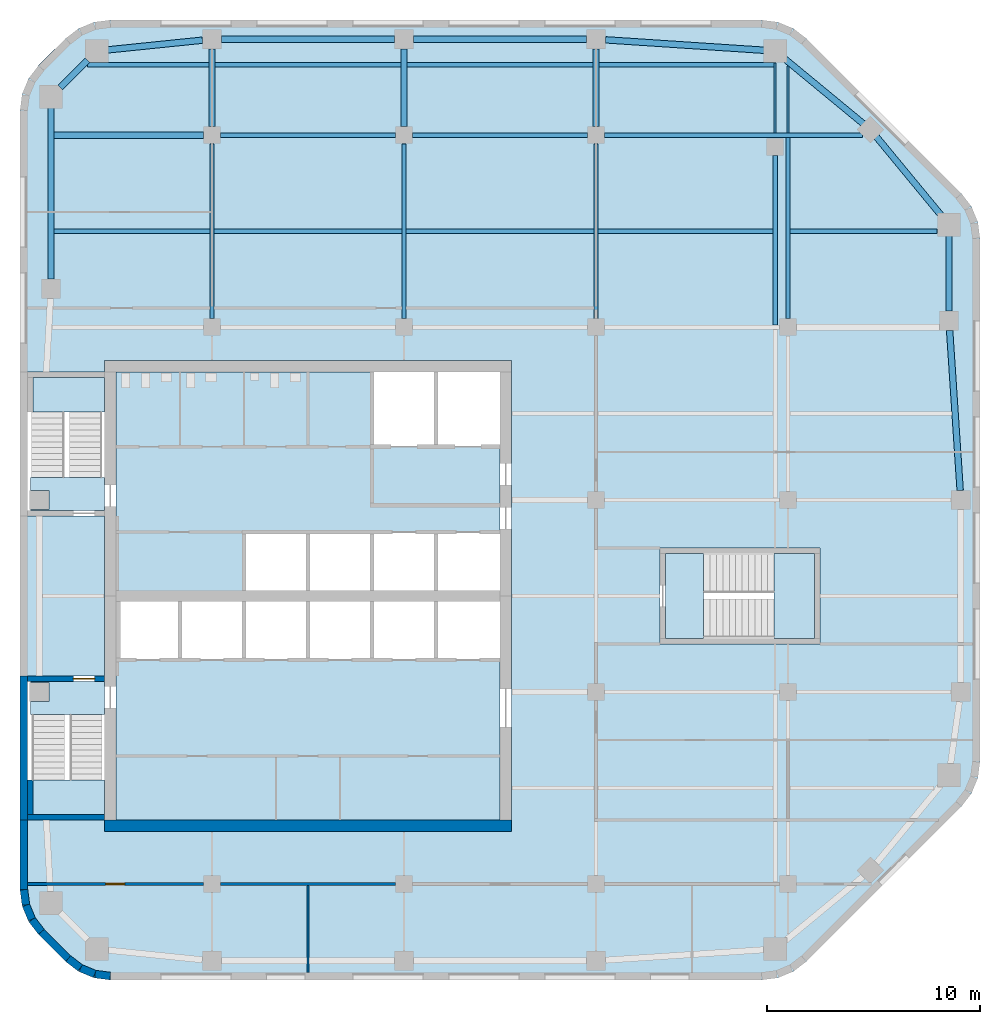
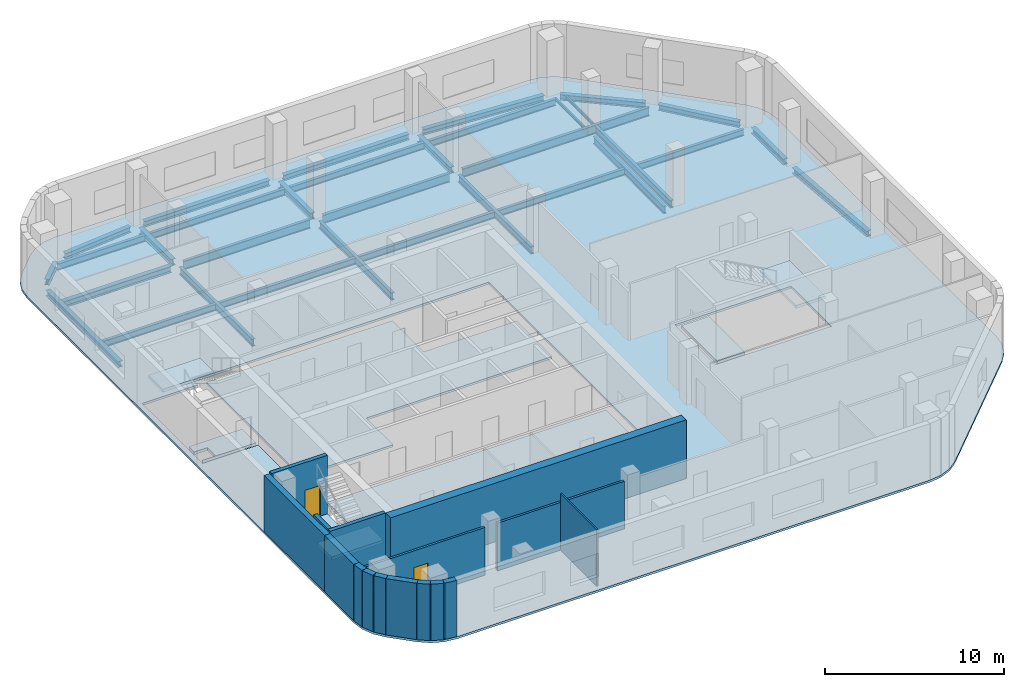
# One storey, part 2 of 7: 33 beams, 16 walls, 9 slabs, 2 doors, 2 openings, 3 elements without a shape of their own.
"""IFC4 building model written with IfcOpenShell, lengths in metres."""

from ifc_helpers import new_model, si_unit, direction, frame, frame_2d, origin, origin_2d, place, context, subcontext, project, spatial, polyline, rectangle, i_section, outline, extrude, material, layer, layer_set, material_profile, profile_set, type_object, element, fill, aggregate, save


model = new_model("IFC4")

# Units and contexts
model_context = context("Model", 3, precision=1e-05, world=origin(), true_north=direction((0.0, 1.0)))
body_context = subcontext(model_context, "Body", "Model", "MODEL_VIEW")
ifc_project = project(units=[si_unit("LENGTHUNIT", "METRE"), si_unit("AREAUNIT", "SQUARE_METRE"), si_unit("VOLUMEUNIT", "CUBIC_METRE"), si_unit("PLANEANGLEUNIT", "RADIAN"), si_unit("MASSUNIT", "GRAM", prefix="KILO")], contexts=[model_context])

# Site, building, storey
site_placement = place(None, origin())
site = spatial("IfcSite", under=ifc_project, at=site_placement, CompositionType="ELEMENT")
building_placement = place(site_placement, origin())
building = spatial("IfcBuilding", under=site, at=building_placement, Name="Cinnabar Reach Civic Tower", CompositionType="ELEMENT")
storey_placement = place(building_placement, frame((0.0, 0.0, 234.0)))
storey = spatial("IfcBuildingStorey", under=building, at=storey_placement, Name="L56", CompositionType="ELEMENT", Elevation=234.0)

# Beams
ifc_material_1 = material(Name="Steel Q355B", Category="steel")
ifc_material_profile_1 = material_profile(ifc_material_1, i_section(OverallWidth=0.3, OverallDepth=0.39, WebThickness=0.01, FlangeThickness=0.016, FilletRadius=0.013, at=origin_2d()), Name="HM390x300x10x16")
ifc_profile_set_1 = profile_set([ifc_material_profile_1], Name="Steel Q355B")
beam_type_1 = type_object("IfcBeamType", Name="HM390x300x10x16 beam R 180", PredefinedType="BEAM", material=ifc_profile_set_1)
beam_1_placement = place(storey_placement, frame((44.0702, 36.452, -0.345), z_axis=(-0.065709484267, 0.997838796438, 0.0), x_axis=(-0.997838796438, -0.065709484267, 0.0)))
element("IfcBeam", 1, at=beam_1_placement, inside=storey, type_object=beam_type_1, Name="Edge beam T1 L56 9", PredefinedType="BEAM", context=body_context, shape_type="SweptSolid", body=[
    extrude(i_section(OverallWidth=0.3, OverallDepth=0.39, WebThickness=0.01, FlangeThickness=0.016, FilletRadius=0.013, at=origin_2d()), origin(), (0.0, 0.0, 1.0), 7.5103),
])
beam_2_placement = place(storey_placement, frame((43.5469, 44.8501, -0.345), z_axis=(0.0, 1.0, 0.0), x_axis=(-1.0, 0.0, 0.0)))
element("IfcBeam", 2, at=beam_2_placement, inside=storey, type_object=beam_type_1, Name="Edge beam T1 L56 10", PredefinedType="BEAM", context=body_context, shape_type="SweptSolid", body=[
    extrude(i_section(OverallWidth=0.3, OverallDepth=0.39, WebThickness=0.01, FlangeThickness=0.016, FilletRadius=0.013, at=origin_2d()), origin(), (0.0, 0.0, 1.0), 3.616),
])
for number, where, z_axis, x_axis, name in (
    (3, (43.1906, 49.3301, -0.345), (-0.63630880182, 0.771434448755, 0.0), (-0.771434448755, -0.63630880182, 0.0), "Edge beam T1 L56 11"),
    (4, (39.5598, 53.6142, -0.345), (-0.771434448755, 0.63630880182, 0.0), (-0.63630880182, -0.771434448755, 0.0), "Edge beam T1 L56 12"),
):
    element("IfcBeam", number, at=place(storey_placement, frame(where, z_axis=z_axis, x_axis=x_axis)), inside=storey, type_object=beam_type_1, Name=name, PredefinedType="BEAM", context=body_context, shape_type="SweptSolid", body=[
        extrude(i_section(OverallWidth=0.3, OverallDepth=0.39, WebThickness=0.01, FlangeThickness=0.016, FilletRadius=0.013, at=origin_2d()), origin(), (0.0, 0.0, 1.0), 4.8348),
    ])
beam_3_placement = place(storey_placement, frame((34.9661, 57.0754, -0.345), z_axis=(-0.99783894477, 0.065707231721, 0.0), x_axis=(-0.065707231721, -0.99783894477, 0.0)))
element("IfcBeam", 5, at=beam_3_placement, inside=storey, type_object=beam_type_1, Name="Edge beam T1 L56 13", PredefinedType="BEAM", context=body_context, shape_type="SweptSolid", body=[
    extrude(i_section(OverallWidth=0.3, OverallDepth=0.39, WebThickness=0.01, FlangeThickness=0.016, FilletRadius=0.013, at=origin_2d()), origin(), (0.0, 0.0, 1.0), 7.5304),
])
for number, where, z_axis, x_axis, name in (
    (6, (26.548, 57.6, -0.345), (-1.0, 0.0, 0.0), (0.0, -1.0, 0.0), "Edge beam T1 L56 14"),
    (7, (17.548, 57.6, -0.345), (-1.0, 0.0, 0.0), (0.0, -1.0, 0.0), "Edge beam T1 L56 15"),
):
    element("IfcBeam", number, at=place(storey_placement, frame(where, z_axis=z_axis, x_axis=x_axis)), inside=storey, type_object=beam_type_1, Name=name, PredefinedType="BEAM", context=body_context, shape_type="SweptSolid", body=[
        extrude(i_section(OverallWidth=0.3, OverallDepth=0.39, WebThickness=0.01, FlangeThickness=0.016, FilletRadius=0.013, at=origin_2d()), origin(), (0.0, 0.0, 1.0), 8.096),
    ])
beam_4_placement = place(storey_placement, frame((8.548, 57.5537, -0.345), z_axis=(-0.994792272495, -0.101923179821, 0.0), x_axis=(0.101923179821, -0.994792272495, 0.0)))
element("IfcBeam", 8, at=beam_4_placement, inside=storey, type_object=beam_type_1, Name="Edge beam T1 L56 16", PredefinedType="BEAM", context=body_context, shape_type="SweptSolid", body=[
    extrude(i_section(OverallWidth=0.3, OverallDepth=0.39, WebThickness=0.01, FlangeThickness=0.016, FilletRadius=0.013, at=origin_2d()), origin(), (0.0, 0.0, 1.0), 4.5377),
])
beam_5_placement = place(storey_placement, frame((3.1699, 56.6149, -0.345), z_axis=(-0.707106781187, -0.707106781187, 0.0), x_axis=(0.707106781187, -0.707106781187, 0.0)))
element("IfcBeam", 9, at=beam_5_placement, inside=storey, type_object=beam_type_1, Name="Edge beam T1 L56 17", PredefinedType="BEAM", context=body_context, shape_type="SweptSolid", body=[
    extrude(i_section(OverallWidth=0.3, OverallDepth=0.39, WebThickness=0.01, FlangeThickness=0.016, FilletRadius=0.013, at=origin_2d()), origin(), (0.0, 0.0, 1.0), 1.817),
])
beam_6_placement = place(storey_placement, frame((1.4531, 54.4661, -0.345), z_axis=(0.0, -1.0, 0.0), x_axis=(1.0, 0.0, 0.0)))
element("IfcBeam", 10, at=beam_6_placement, inside=storey, type_object=beam_type_1, Name="Edge beam T1 L56 18", PredefinedType="BEAM", context=body_context, shape_type="SweptSolid", body=[
    extrude(i_section(OverallWidth=0.3, OverallDepth=0.39, WebThickness=0.01, FlangeThickness=0.016, FilletRadius=0.013, at=origin_2d()), origin(), (0.0, 0.0, 1.0), 8.116),
])
ifc_material_profile_2 = material_profile(ifc_material_1, i_section(OverallWidth=0.3, OverallDepth=0.44, WebThickness=0.011, FlangeThickness=0.018, FilletRadius=0.016, at=origin_2d()), Name="HM440x300x11x18")
ifc_profile_set_2 = profile_set([ifc_material_profile_2], Name="Steel Q355B")
beam_type_2 = type_object("IfcBeamType", Name="HM440x300x11x18 beam R 180", PredefinedType="BEAM", material=ifc_profile_set_2)
beam_7_placement = place(storey_placement, frame((1.6051, 53.1, -0.37), z_axis=(1.0, 0.0, 0.0), x_axis=(0.0, 1.0, 0.0)))
element("IfcBeam", 11, at=beam_7_placement, inside=storey, type_object=beam_type_2, Name="Girder T1 L56 17", PredefinedType="BEAM", context=body_context, shape_type="SweptSolid", body=[
    extrude(i_section(OverallWidth=0.3, OverallDepth=0.44, WebThickness=0.011, FlangeThickness=0.018, FilletRadius=0.016, at=origin_2d()), origin(), (0.0, 0.0, 1.0), 6.9929),
])
for number, where, z_axis, x_axis, name in (
    (12, (9.0, 53.502, -0.37), (0.0, 1.0, 0.0), (-1.0, 0.0, 0.0), "Girder T1 L56 5"),
    (13, (18.0, 53.502, -0.37), (0.0, 1.0, 0.0), (-1.0, 0.0, 0.0), "Girder T1 L56 10"),
    (14, (27.0, 53.502, -0.37), (0.0, 1.0, 0.0), (-1.0, 0.0, 0.0), "Girder T1 L56 16"),
):
    element("IfcBeam", number, at=place(storey_placement, frame(where, z_axis=z_axis, x_axis=x_axis)), inside=storey, type_object=beam_type_2, Name=name, PredefinedType="BEAM", context=body_context, shape_type="SweptSolid", body=[
        extrude(i_section(OverallWidth=0.3, OverallDepth=0.44, WebThickness=0.011, FlangeThickness=0.018, FilletRadius=0.016, at=origin_2d()), origin(), (0.0, 0.0, 1.0), 3.646),
    ])
ifc_material_profile_3 = material_profile(ifc_material_1, i_section(OverallWidth=0.099, OverallDepth=0.198, WebThickness=0.0045, FlangeThickness=0.007, FilletRadius=0.013, at=origin_2d()), Name="HN200x100x5.5x8")
ifc_profile_set_3 = profile_set([ifc_material_profile_3], Name="Steel Q355B")
beam_type_3 = type_object("IfcBeamType", Name="HN200x100x5.5x8 beam R 180", PredefinedType="BEAM", material=ifc_profile_set_3)
beam_8_placement = place(storey_placement, frame((35.3981, 53.2015, -0.249), z_axis=(0.0, 1.0, 0.0), x_axis=(-1.0, 0.0, 0.0)))
element("IfcBeam", 15, at=beam_8_placement, inside=storey, type_object=beam_type_3, Name="Girder T1 L56 23", PredefinedType="BEAM", context=body_context, shape_type="SweptSolid", body=[
    extrude(i_section(OverallWidth=0.099, OverallDepth=0.198, WebThickness=0.0045, FlangeThickness=0.007, FilletRadius=0.013, at=origin_2d()), origin(), (0.0, 0.0, 1.0), 3.2934),
])
beam_9_placement = place(storey_placement, frame((36.0, 53.2015, -0.249), z_axis=(0.0, 1.0, 0.0), x_axis=(-1.0, 0.0, 0.0)))
element("IfcBeam", 16, at=beam_9_placement, inside=storey, type_object=beam_type_3, Name="Girder T1 L56 30", PredefinedType="BEAM", context=body_context, shape_type="SweptSolid", body=[
    extrude(i_section(OverallWidth=0.099, OverallDepth=0.198, WebThickness=0.0045, FlangeThickness=0.007, FilletRadius=0.013, at=origin_2d()), origin(), (0.0, 0.0, 1.0), 3.1519),
])
ifc_material_profile_4 = material_profile(ifc_material_1, i_section(OverallWidth=0.199, OverallDepth=0.446, WebThickness=0.008, FlangeThickness=0.012, FilletRadius=0.016, at=origin_2d()), Name="HN446x199x8x12")
ifc_profile_set_4 = profile_set([ifc_material_profile_4], Name="Steel Q355B")
beam_type_4 = type_object("IfcBeamType", Name="HN446x199x8x12 beam R 180", PredefinedType="BEAM", material=ifc_profile_set_4)
beam_10_placement = place(storey_placement, frame((1.6051, 48.6, -0.373), z_axis=(1.0, 0.0, 0.0), x_axis=(0.0, 1.0, 0.0)))
element("IfcBeam", 17, at=beam_10_placement, inside=storey, type_object=beam_type_4, Name="Secondary beam T1 L56 11", PredefinedType="BEAM", context=body_context, shape_type="SweptSolid", body=[
    extrude(i_section(OverallWidth=0.199, OverallDepth=0.446, WebThickness=0.008, FlangeThickness=0.012, FilletRadius=0.016, at=origin_2d()), origin(), (0.0, 0.0, 1.0), 7.2929),
])
for number, where, z_axis, x_axis, name in (
    (18, (9.102, 48.6, -0.373), (1.0, 0.0, 0.0), (0.0, 1.0, 0.0), "Secondary beam T1 L56 12"),
    (19, (18.102, 48.6, -0.373), (1.0, 0.0, 0.0), (0.0, 1.0, 0.0), "Secondary beam T1 L56 13"),
):
    element("IfcBeam", number, at=place(storey_placement, frame(where, z_axis=z_axis, x_axis=x_axis)), inside=storey, type_object=beam_type_4, Name=name, PredefinedType="BEAM", context=body_context, shape_type="SweptSolid", body=[
        extrude(i_section(OverallWidth=0.199, OverallDepth=0.446, WebThickness=0.008, FlangeThickness=0.012, FilletRadius=0.016, at=origin_2d()), origin(), (0.0, 0.0, 1.0), 8.796),
    ])
beam_11_placement = place(storey_placement, frame((27.102, 48.6, -0.373), z_axis=(1.0, 0.0, 0.0), x_axis=(0.0, 1.0, 0.0)))
element("IfcBeam", 20, at=beam_11_placement, inside=storey, type_object=beam_type_4, Name="Secondary beam T1 L56 14", PredefinedType="BEAM", context=body_context, shape_type="SweptSolid", body=[
    extrude(i_section(OverallWidth=0.199, OverallDepth=0.446, WebThickness=0.008, FlangeThickness=0.012, FilletRadius=0.016, at=origin_2d()), origin(), (0.0, 0.0, 1.0), 8.1941),
])
beam_12_placement = place(storey_placement, frame((36.102, 48.6, -0.373), z_axis=(1.0, 0.0, 0.0), x_axis=(0.0, 1.0, 0.0)))
element("IfcBeam", 21, at=beam_12_placement, inside=storey, type_object=beam_type_4, Name="Secondary beam T1 L56 15", PredefinedType="BEAM", context=body_context, shape_type="SweptSolid", body=[
    extrude(i_section(OverallWidth=0.199, OverallDepth=0.446, WebThickness=0.008, FlangeThickness=0.012, FilletRadius=0.016, at=origin_2d()), origin(), (0.0, 0.0, 1.0), 6.8929),
])
beam_13_placement = place(storey_placement, frame((3.17, 56.4, -0.373), z_axis=(1.0, 0.0, 0.0), x_axis=(0.0, 1.0, 0.0)))
element("IfcBeam", 22, at=beam_13_placement, inside=storey, type_object=beam_type_4, Name="Secondary beam T1 L56 16", PredefinedType="BEAM", context=body_context, shape_type="SweptSolid", body=[
    extrude(i_section(OverallWidth=0.199, OverallDepth=0.446, WebThickness=0.008, FlangeThickness=0.012, FilletRadius=0.016, at=origin_2d()), origin(), (0.0, 0.0, 1.0), 5.678),
])
for number, where, z_axis, x_axis, name in (
    (23, (9.152, 56.4, -0.373), (1.0, 0.0, 0.0), (0.0, 1.0, 0.0), "Secondary beam T1 L56 17"),
    (24, (18.152, 56.4, -0.373), (1.0, 0.0, 0.0), (0.0, 1.0, 0.0), "Secondary beam T1 L56 18"),
):
    element("IfcBeam", number, at=place(storey_placement, frame(where, z_axis=z_axis, x_axis=x_axis)), inside=storey, type_object=beam_type_4, Name=name, PredefinedType="BEAM", context=body_context, shape_type="SweptSolid", body=[
        extrude(i_section(OverallWidth=0.199, OverallDepth=0.446, WebThickness=0.008, FlangeThickness=0.012, FilletRadius=0.016, at=origin_2d()), origin(), (0.0, 0.0, 1.0), 8.696),
    ])
beam_14_placement = place(storey_placement, frame((27.152, 56.4, -0.373), z_axis=(1.0, 0.0, 0.0), x_axis=(0.0, 1.0, 0.0)))
element("IfcBeam", 25, at=beam_14_placement, inside=storey, type_object=beam_type_4, Name="Secondary beam T1 L56 19", PredefinedType="BEAM", context=body_context, shape_type="SweptSolid", body=[
    extrude(i_section(OverallWidth=0.199, OverallDepth=0.446, WebThickness=0.008, FlangeThickness=0.012, FilletRadius=0.016, at=origin_2d()), origin(), (0.0, 0.0, 1.0), 8.1946),
])
ifc_material_profile_5 = material_profile(ifc_material_1, i_section(OverallWidth=0.2, OverallDepth=0.5, WebThickness=0.01, FlangeThickness=0.016, FilletRadius=0.016, at=origin_2d()), Name="HN500x200x10x16")
ifc_profile_set_5 = profile_set([ifc_material_profile_5], Name="Steel Q355B")
beam_type_5 = type_object("IfcBeamType", Name="HN500x200x10x16 beam R 180", PredefinedType="BEAM", material=ifc_profile_set_5)
for number, where, z_axis, x_axis, name in (
    (26, (9.0, 44.502, -0.4), (0.0, 1.0, 0.0), (-1.0, 0.0, 0.0), "Girder T1 L56 4"),
    (27, (18.0, 44.502, -0.4), (0.0, 1.0, 0.0), (-1.0, 0.0, 0.0), "Girder T1 L56 9"),
    (28, (27.0, 44.502, -0.4), (0.0, 1.0, 0.0), (-1.0, 0.0, 0.0), "Girder T1 L56 15"),
):
    element("IfcBeam", number, at=place(storey_placement, frame(where, z_axis=z_axis, x_axis=x_axis)), inside=storey, type_object=beam_type_5, Name=name, PredefinedType="BEAM", context=body_context, shape_type="SweptSolid", body=[
        extrude(i_section(OverallWidth=0.2, OverallDepth=0.5, WebThickness=0.01, FlangeThickness=0.016, FilletRadius=0.016, at=origin_2d()), origin(), (0.0, 0.0, 1.0), 8.196),
    ])
beam_15_placement = place(storey_placement, frame((35.3981, 44.2015, -0.4), z_axis=(0.0, 1.0, 0.0), x_axis=(-1.0, 0.0, 0.0)))
element("IfcBeam", 29, at=beam_15_placement, inside=storey, type_object=beam_type_5, Name="Girder T1 L56 22", PredefinedType="BEAM", context=body_context, shape_type="SweptSolid", body=[
    extrude(i_section(OverallWidth=0.2, OverallDepth=0.5, WebThickness=0.01, FlangeThickness=0.016, FilletRadius=0.016, at=origin_2d()), origin(), (0.0, 0.0, 1.0), 7.9434),
])
beam_16_placement = place(storey_placement, frame((36.0, 44.502, -0.4), z_axis=(0.0, 1.0, 0.0), x_axis=(-1.0, 0.0, 0.0)))
element("IfcBeam", 30, at=beam_16_placement, inside=storey, type_object=beam_type_5, Name="Girder T1 L56 29", PredefinedType="BEAM", context=body_context, shape_type="SweptSolid", body=[
    extrude(i_section(OverallWidth=0.2, OverallDepth=0.5, WebThickness=0.01, FlangeThickness=0.016, FilletRadius=0.016, at=origin_2d()), origin(), (0.0, 0.0, 1.0), 8.4965),
])
ifc_material_profile_6 = material_profile(ifc_material_1, i_section(OverallWidth=0.199, OverallDepth=0.596, WebThickness=0.01, FlangeThickness=0.015, FilletRadius=0.016, at=origin_2d()), Name="HN596x199x10x15")
ifc_profile_set_6 = profile_set([ifc_material_profile_6], Name="Steel Q355B")
beam_type_6 = type_object("IfcBeamType", Name="HN596x199x10x15 beam R 180", PredefinedType="BEAM", material=ifc_profile_set_6)
for number, where, z_axis, x_axis, name in (
    (31, (9.402, 53.1, -0.448), (1.0, 0.0, 0.0), (0.0, 1.0, 0.0), "Girder T1 L56 18"),
    (32, (18.402, 53.1, -0.448), (1.0, 0.0, 0.0), (0.0, 1.0, 0.0), "Girder T1 L56 19"),
):
    element("IfcBeam", number, at=place(storey_placement, frame(where, z_axis=z_axis, x_axis=x_axis)), inside=storey, type_object=beam_type_6, Name=name, PredefinedType="BEAM", context=body_context, shape_type="SweptSolid", body=[
        extrude(i_section(OverallWidth=0.199, OverallDepth=0.596, WebThickness=0.01, FlangeThickness=0.015, FilletRadius=0.016, at=origin_2d()), origin(), (0.0, 0.0, 1.0), 8.196),
    ])
beam_17_placement = place(storey_placement, frame((27.402, 53.1, -0.448), z_axis=(1.0, 0.0, 0.0), x_axis=(0.0, 1.0, 0.0)))
element("IfcBeam", 33, at=beam_17_placement, inside=storey, type_object=beam_type_6, Name="Girder T1 L56 20", PredefinedType="BEAM", context=body_context, shape_type="SweptSolid", body=[
    extrude(i_section(OverallWidth=0.199, OverallDepth=0.596, WebThickness=0.01, FlangeThickness=0.015, FilletRadius=0.016, at=origin_2d()), origin(), (0.0, 0.0, 1.0), 12.086),
])

# Slab
ifc_material_2 = material(Name="Concrete C40", Category="concrete")
ifc_layer_1 = layer(ifc_material_2, 0.15)
ifc_layer_set_1 = layer_set([ifc_layer_1], Name="Composite floor slab 150 REI 150")
slab_type_1 = type_object("IfcSlabType", Name="Composite floor slab 150 REI 150", PredefinedType="FLOOR", material=ifc_layer_set_1)
slab_1_placement = place(storey_placement, frame((0.0, 0.0, -0.15)))
element("IfcSlab", 34, at=slab_1_placement, inside=storey, type_object=slab_type_1, Name="Composite floor slab 150 T1 L56", PredefinedType="FLOOR", context=body_context, shape_type="SweptSolid", body=[
    extrude(outline(polyline([(0.8787, 15.6213), (0.4019, 16.2426), (0.1022, 16.9662), (0.0, 17.7426), (0.0, 54.2574), (0.1022, 55.0338), (0.4019, 55.7574), (0.8787, 56.3787), (2.1213, 57.6213), (2.7426, 58.0981), (3.4662, 58.3978), (4.2426, 58.5), (34.7574, 58.5), (35.5338, 58.3978), (36.2574, 58.0981), (36.8787, 57.6213), (44.1213, 50.3787), (44.5981, 49.7574), (44.8978, 49.0338), (45.0, 48.2574), (45.0, 23.7426), (44.8978, 22.9662), (44.5981, 22.2426), (44.1213, 21.6213), (36.8787, 14.3787), (36.2574, 13.9019), (35.5338, 13.6022), (34.7574, 13.5), (4.2426, 13.5), (3.4662, 13.6022), (2.7426, 13.9019), (2.1213, 14.3787), (0.8787, 15.6213)]), holes=[polyline([(0.36, 21.0), (3.95, 21.0), (3.95, 20.45), (23.05, 20.45), (23.05, 42.55), (3.95, 42.55), (3.95, 42.0), (0.36, 42.0), (0.36, 35.25), (3.95, 35.25), (3.95, 27.75), (0.36, 27.75), (0.36, 21.0)]), polyline([(30.0, 33.75), (30.0, 29.25), (37.5, 29.25), (37.5, 33.75), (30.0, 33.75)])]), origin(), (0.0, 0.0, 1.0), 0.15),
])

# Stair, slabs
ifc_material_3 = material(Name="Concrete C40/50", Category="concrete")
stair_type = type_object("IfcStairType", Name="T1 Exit stair, half-turn", PredefinedType="HALF_TURN_STAIR", material=ifc_material_3)
stair_1_placement = place(storey_placement, origin())
stair_1 = element("IfcStair", 35, at=stair_1_placement, inside=storey, type_object=stair_type, Name="Stair T1-S1", PredefinedType="HALF_TURN_STAIR")
ifc_layer_2 = layer(ifc_material_3, 0.2)
ifc_layer_set_2 = layer_set([ifc_layer_2], Name="T1 Stair landing 200, Concrete C40/50")
slab_type_2 = type_object("IfcSlabType", Name="T1 Stair landing 200, Concrete C40/50", PredefinedType="LANDING", material=ifc_layer_set_2)
slab_2_placement = place(storey_placement, frame((0.0, 0.0, -0.2)))
slab_2 = element("IfcSlab", 36, at=slab_2_placement, type_object=slab_type_2, Name="T1-S1 landing 1", PredefinedType="LANDING", context=body_context, shape_type="SweptSolid", body=[
    extrude(outline(polyline([(0.5, 27.5), (3.95, 27.5), (3.95, 25.95), (0.5, 25.95), (0.5, 26.55), (1.35, 26.55), (1.35, 27.45), (0.5, 27.45), (0.5, 27.5)])), origin(), (0.0, 0.0, 1.0), 0.2),
])
slab_3_placement = place(storey_placement, frame((0.0, 0.0, 1.8)))
slab_3 = element("IfcSlab", 37, at=slab_3_placement, type_object=slab_type_2, Name="T1-S1 landing 2", PredefinedType="LANDING", context=body_context, shape_type="SweptSolid", body=[
    extrude(outline(polyline([(0.6, 21.25), (0.6, 22.87), (3.95, 22.87), (3.95, 21.25), (0.6, 21.25)])), origin(), (0.0, 0.0, 1.0), 0.2),
])
aggregate(stair_1, [slab_2, slab_3])

stair_2_placement = place(storey_placement, origin())
stair_2 = element("IfcStair", 38, at=stair_2_placement, inside=storey, type_object=stair_type, Name="Stair T1-S2", PredefinedType="HALF_TURN_STAIR")
slab_4_placement = place(storey_placement, frame((0.0, 0.0, -0.2)))
slab_4 = element("IfcSlab", 39, at=slab_4_placement, type_object=slab_type_2, Name="T1-S2 landing 1", PredefinedType="LANDING", context=body_context, shape_type="SweptSolid", body=[
    extrude(outline(polyline([(0.5, 37.05), (3.95, 37.05), (3.95, 35.5), (0.5, 35.5), (0.5, 35.55), (1.35, 35.55), (1.35, 36.45), (0.5, 36.45), (0.5, 37.05)])), origin(), (0.0, 0.0, 1.0), 0.2),
])
slab_5_placement = place(storey_placement, frame((0.0, 0.0, 1.8)))
slab_5 = element("IfcSlab", 40, at=slab_5_placement, type_object=slab_type_2, Name="T1-S2 landing 2", PredefinedType="LANDING", context=body_context, shape_type="SweptSolid", body=[
    extrude(outline(polyline([(0.6, 40.13), (0.6, 41.75), (3.95, 41.75), (3.95, 40.13), (0.6, 40.13)])), origin(), (0.0, 0.0, 1.0), 0.2),
])
aggregate(stair_2, [slab_4, slab_5])

stair_3_placement = place(storey_placement, origin())
stair_3 = element("IfcStair", 41, at=stair_3_placement, inside=storey, type_object=stair_type, Name="Stair T1-S3", PredefinedType="HALF_TURN_STAIR")
slab_6_placement = place(storey_placement, frame((0.0, 0.0, -0.2)))
slab_6 = element("IfcSlab", 42, at=slab_6_placement, type_object=slab_type_2, Name="T1-S3 landing 1", PredefinedType="LANDING", context=body_context, shape_type="SweptSolid", body=[
    extrude(outline(polyline([(30.25, 29.5), (32.05, 29.5), (32.05, 33.5), (30.25, 33.5), (30.25, 29.5)])), origin(), (0.0, 0.0, 1.0), 0.2),
])
slab_7_placement = place(storey_placement, frame((0.0, 0.0, 1.8)))
slab_7 = element("IfcSlab", 43, at=slab_7_placement, type_object=slab_type_2, Name="T1-S3 landing 2", PredefinedType="LANDING", context=body_context, shape_type="SweptSolid", body=[
    extrude(outline(polyline([(35.35, 29.5), (37.25, 29.5), (37.25, 33.5), (35.35, 33.5), (35.35, 29.5)])), origin(), (0.0, 0.0, 1.0), 0.2),
])
aggregate(stair_3, [slab_6, slab_7])

# Slabs
ifc_layer_3 = layer(ifc_material_3, 0.15)
ifc_layer_set_3 = layer_set([ifc_layer_3], Name="T1 core floor slab 150")
slab_type_3 = type_object("IfcSlabType", Name="T1 core floor slab 150", PredefinedType="FLOOR", material=ifc_layer_set_3)
slab_8_placement = place(storey_placement, frame((0.0, 0.0, -0.15)))
element("IfcSlab", 44, at=slab_8_placement, inside=storey, type_object=slab_type_3, Name="Core floor slab L56", PredefinedType="FLOOR", context=body_context, shape_type="SweptSolid", body=[
    extrude(outline(polyline([(22.5, 21.0), (4.5, 21.0), (4.5, 28.5), (7.5, 28.5), (10.5, 28.5), (13.5, 28.5), (16.5, 28.5), (19.5, 28.5), (22.5, 28.5), (22.5, 21.0)])), origin(), (0.0, 0.0, 1.0), 0.15),
])
slab_9_placement = place(storey_placement, frame((0.0, 0.0, -0.15)))
element("IfcSlab", 45, at=slab_9_placement, inside=storey, type_object=slab_type_3, Name="Core floor slab L56", PredefinedType="FLOOR", context=body_context, shape_type="SweptSolid", body=[
    extrude(outline(polyline([(22.5, 34.5), (19.5, 34.5), (16.5, 34.5), (13.5, 34.5), (10.5, 34.5), (10.5, 31.5), (7.5, 31.5), (4.5, 31.5), (4.5, 42.0), (16.5, 42.0), (16.5, 38.5), (19.5, 38.5), (22.5, 38.5), (22.5, 34.5)])), origin(), (0.0, 0.0, 1.0), 0.15),
])

# Walls
ifc_material_4 = material(Name="Facing brick with insulated backing", Category="masonry")
ifc_layer_4 = layer(ifc_material_4, 0.36)
ifc_layer_set_4 = layer_set([ifc_layer_4], Name="Brick corner wall")
wall_type_1 = type_object("IfcWallType", Name="Brick corner wall", PredefinedType="STANDARD", material=ifc_layer_set_4)
for number, where, z_axis, x_axis, name in (
    (46, (0.183, 17.7314, 0.0), (0.0, 0.0, 1.0), (0.13055608231, -0.99144092581, 0.0), "Brick corner wall"),
    (47, (0.2819, 17.0027, 0.0), (0.0, 0.0, 1.0), (0.382702709855, -0.923871547278, 0.0), "Brick corner wall"),
):
    element("IfcWall", number, at=place(storey_placement, frame(where, z_axis=z_axis, x_axis=x_axis)), inside=storey, type_object=wall_type_1, Name=name, PredefinedType="STANDARD", context=body_context, shape_type="SweptSolid", body=[
        extrude(rectangle(XDim=0.7131, YDim=0.36, at=frame_2d((0.3565, 0.0))), origin(), (0.0, 0.0, 1.0), 3.85),
    ])
for number, where, z_axis, x_axis, name in (
    (48, (0.566, 16.3245, 0.0), (0.0, 0.0, 1.0), (0.608802368033, -0.793321924995, 0.0), "Brick corner wall"),
    (49, (2.2587, 14.5002, 0.0), (0.0, 0.0, 1.0), (0.793321924995, -0.608802368033, 0.0), "Brick corner wall"),
):
    element("IfcWall", number, at=place(storey_placement, frame(where, z_axis=z_axis, x_axis=x_axis)), inside=storey, type_object=wall_type_1, Name=name, PredefinedType="STANDARD", context=body_context, shape_type="SweptSolid", body=[
        extrude(rectangle(XDim=0.7132, YDim=0.36, at=frame_2d((0.3566, 0.0))), origin(), (0.0, 0.0, 1.0), 3.85),
    ])
for number, where, z_axis, x_axis, name in (
    (50, (2.8439, 14.0548, 0.0), (0.0, 0.0, 1.0), (0.923871547278, -0.382702709855, 0.0), "Brick corner wall"),
    (51, (3.5244, 13.7761, 0.0), (0.0, 0.0, 1.0), (0.99144092581, -0.13055608231, 0.0), "Brick corner wall"),
):
    element("IfcWall", number, at=place(storey_placement, frame(where, z_axis=z_axis, x_axis=x_axis)), inside=storey, type_object=wall_type_1, Name=name, PredefinedType="STANDARD", context=body_context, shape_type="SweptSolid", body=[
        extrude(rectangle(XDim=0.7131, YDim=0.36, at=frame_2d((0.3565, 0.0))), origin(), (0.0, 0.0, 1.0), 3.85),
    ])
ifc_layer_5 = layer(ifc_material_4, 0.36)
ifc_layer_set_5 = layer_set([ifc_layer_5], Name="Brick pier and spandrel wall")
wall_type_2 = type_object("IfcWallType", Name="Brick pier and spandrel wall", PredefinedType="STANDARD", material=ifc_layer_set_5)
wall_1_placement = place(storey_placement, frame((0.18, 27.75, 0.0), z_axis=(0.0, 0.0, 1.0), x_axis=(0.0, -1.0, 0.0)))
element("IfcWall", 52, at=wall_1_placement, inside=storey, type_object=wall_type_2, Name="Brick facade wall", PredefinedType="STANDARD", context=body_context, shape_type="SweptSolid", body=[
    extrude(rectangle(XDim=6.75, YDim=0.36, at=frame_2d((3.375, 0.0))), origin(), (0.0, 0.0, 1.0), 3.85),
])
wall_2_placement = place(storey_placement, frame((0.18, 21.0, 0.0), z_axis=(0.0, 0.0, 1.0), x_axis=(0.0, -1.0, 0.0)))
element("IfcWall", 53, at=wall_2_placement, inside=storey, type_object=wall_type_2, Name="Brick facade wall", PredefinedType="STANDARD", context=body_context, shape_type="SweptSolid", body=[
    extrude(rectangle(XDim=3.2574, YDim=0.36, at=frame_2d((1.6287, 0.0))), origin(), (0.0, 0.0, 1.0), 3.85),
])
wall_3_placement = place(storey_placement, frame((1.006, 15.7486, 0.0), z_axis=(0.0, 0.0, 1.0), x_axis=(0.707106781187, -0.707106781187, 0.0)))
element("IfcWall", 54, at=wall_3_placement, inside=storey, type_object=wall_type_2, Name="Brick facade wall", PredefinedType="STANDARD", context=body_context, shape_type="SweptSolid", body=[
    extrude(rectangle(XDim=1.7573, YDim=0.36, at=frame_2d((0.8787, 0.0))), origin(), (0.0, 0.0, 1.0), 3.85),
])
ifc_material_5 = material(Name="Concrete C60", Category="concrete")
ifc_layer_6 = layer(ifc_material_5, 0.55)
ifc_layer_set_6 = layer_set([ifc_layer_6], Name="Core wall 550 EI 180")
wall_type_3 = type_object("IfcWallType", Name="Core wall 550 EI 180", PredefinedType="SOLIDWALL", material=ifc_layer_set_6)
wall_4_placement = place(storey_placement, frame((3.95, 20.725, 0.0), z_axis=(0.0, 0.0, 1.0), x_axis=(1.0, 0.0, 0.0)))
element("IfcWall", 55, at=wall_4_placement, inside=storey, type_object=wall_type_3, Name="Core wall T1 L56 S", PredefinedType="SOLIDWALL", context=body_context, shape_type="SweptSolid", body=[
    extrude(rectangle(XDim=19.1, YDim=0.55, at=frame_2d((9.55, 0.0))), origin(), (0.0, 0.0, 1.0), 4.0),
])
ifc_material_6 = material(Name="Gypsum board on steel studs, double layer", Category="steel")
ifc_layer_7 = layer(ifc_material_6, 0.15)
ifc_layer_set_7 = layer_set([ifc_layer_7], Name="Corridor wall 150 T1")
wall_type_4 = type_object("IfcWallType", Name="Corridor wall 150 T1", PredefinedType="PARTITIONING", material=ifc_layer_set_7)
wall_5_placement = place(storey_placement, frame((9.4, 18.0, 0.0), z_axis=(0.0, 0.0, 1.0), x_axis=(1.0, 0.0, 0.0)))
element("IfcWall", 56, at=wall_5_placement, inside=storey, type_object=wall_type_4, Name="Corridor wall 21", PredefinedType="PARTITIONING", context=body_context, shape_type="SweptSolid", body=[
    extrude(rectangle(XDim=8.2, YDim=0.15, at=frame_2d((4.1, 0.0))), origin(), (0.0, 0.0, 1.0), 3.254),
])

# Wall, opening, door
wall_6_placement = place(storey_placement, frame((0.36, 18.0, 0.0), z_axis=(0.0, 0.0, 1.0), x_axis=(1.0, 0.0, 0.0)))
wall_6 = element("IfcWall", 57, at=wall_6_placement, inside=storey, type_object=wall_type_4, Name="Corridor wall 22", PredefinedType="PARTITIONING", context=body_context, shape_type="SweptSolid", body=[
    extrude(rectangle(XDim=8.24, YDim=0.15, at=frame_2d((4.12, 0.0))), origin(), (0.0, 0.0, 1.0), 3.254),
])
opening_1_placement = place(wall_6_placement, frame((3.65, 0.0, 0.0)))
opening_1 = element("IfcOpeningElement", 58, at=opening_1_placement, cuts=wall_6, Name="Opening D5293", PredefinedType="OPENING", context=body_context, shape_type="SweptSolid", body=[
    extrude(rectangle(XDim=0.9, YDim=2.1, at=frame_2d((0.45, 1.05))), frame((0.0, 0.085, 0.0), z_axis=(0.0, -1.0, 0.0), x_axis=(1.0, 0.0, 0.0)), (0.0, 0.0, 1.0), 0.17),
])
ifc_material_7 = material(Name="Timber door leaf in steel frame", Category="steel")
door_type_1 = type_object("IfcDoorType", Name="Single swing door 900 x 2100 corridor T1", OperationType="SINGLE_SWING_LEFT", PredefinedType="DOOR", material=ifc_material_7)
door_1_placement = place(opening_1_placement, frame((0.9, 0.0, 0.0), z_axis=(0.0, 0.0, 1.0), x_axis=(-1.0, 0.0, 0.0)))
door_1 = element("IfcDoor", 59, at=door_1_placement, inside=storey, type_object=door_type_1, Name="Door D5293", OperationType="SINGLE_SWING_RIGHT", OverallHeight=2.1, OverallWidth=0.9, PredefinedType="DOOR", context=body_context, shape_type="SweptSolid", body=[
    extrude(rectangle(XDim=0.9, YDim=2.1, at=frame_2d((0.45, 1.05))), frame((0.0, 0.025, 0.0), z_axis=(0.0, -1.0, 0.0), x_axis=(1.0, 0.0, 0.0)), (0.0, 0.0, 1.0), 0.05),
])
fill(opening_1, door_1)

# Walls
ifc_material_8 = material(Name="Gypsum board on steel studs", Category="steel")
ifc_layer_8 = layer(ifc_material_8, 0.1)
ifc_layer_set_8 = layer_set([ifc_layer_8], Name="Partition wall 100 T1")
wall_type_5 = type_object("IfcWallType", Name="Partition wall 100 T1", PredefinedType="PARTITIONING", material=ifc_layer_set_8)
wall_7_placement = place(storey_placement, frame((13.5, 13.86, 0.0), z_axis=(0.0, 0.0, 1.0), x_axis=(0.0, 1.0, 0.0)))
element("IfcWall", 60, at=wall_7_placement, inside=storey, type_object=wall_type_5, Name="Partition wall 47", PredefinedType="PARTITIONING", context=body_context, shape_type="SweptSolid", body=[
    extrude(rectangle(XDim=4.065, YDim=0.1, at=frame_2d((2.0325, 0.0))), origin(), (0.0, 0.0, 1.0), 3.85),
])
ifc_layer_9 = layer(ifc_material_5, 0.25)
ifc_layer_set_9 = layer_set([ifc_layer_9], Name="Stair shaft wall 250 EI 120")
wall_type_6 = type_object("IfcWallType", Name="Stair shaft wall 250 EI 120", PredefinedType="SOLIDWALL", material=ifc_layer_set_9)
wall_8_placement = place(storey_placement, frame((0.36, 21.125, 0.0), z_axis=(0.0, 0.0, 1.0), x_axis=(1.0, 0.0, 0.0)))
element("IfcWall", 61, at=wall_8_placement, inside=storey, type_object=wall_type_6, Name="Stair shaft wall T1-S1 L56", PredefinedType="SOLIDWALL", context=body_context, shape_type="SweptSolid", body=[
    extrude(rectangle(XDim=3.59, YDim=0.25, at=frame_2d((1.795, 0.0))), origin(), (0.0, 0.0, 1.0), 4.0),
])

# Wall, opening, door
wall_9_placement = place(storey_placement, frame((3.95, 27.625, 0.0), z_axis=(0.0, 0.0, 1.0), x_axis=(-1.0, 0.0, 0.0)))
wall_9 = element("IfcWall", 62, at=wall_9_placement, inside=storey, type_object=wall_type_6, Name="Stair shaft wall T1-S1 L56", PredefinedType="SOLIDWALL", context=body_context, shape_type="SweptSolid", body=[
    extrude(rectangle(XDim=3.59, YDim=0.25, at=frame_2d((1.795, 0.0))), origin(), (0.0, 0.0, 1.0), 4.0),
])
opening_2_placement = place(wall_9_placement, frame((0.45, 0.0, 0.0)))
opening_2 = element("IfcOpeningElement", 63, at=opening_2_placement, cuts=wall_9, Name="Opening D5263", PredefinedType="OPENING", context=body_context, shape_type="SweptSolid", body=[
    extrude(rectangle(XDim=1.0, YDim=2.1, at=frame_2d((0.5, 1.05))), frame((0.0, 0.135, 0.0), z_axis=(0.0, -1.0, 0.0), x_axis=(1.0, 0.0, 0.0)), (0.0, 0.0, 1.0), 0.27),
])
door_type_2 = type_object("IfcDoorType", Name="Stair door 1000 x 2100 T1", OperationType="SINGLE_SWING_LEFT", PredefinedType="DOOR", material=ifc_material_7)
door_2_placement = place(opening_2_placement, origin())
door_2 = element("IfcDoor", 64, at=door_2_placement, inside=storey, type_object=door_type_2, Name="Door D5263", OperationType="SINGLE_SWING_LEFT", OverallHeight=2.1, OverallWidth=1.0, PredefinedType="DOOR", context=body_context, shape_type="SweptSolid", body=[
    extrude(rectangle(XDim=1.0, YDim=2.1, at=frame_2d((0.5, 1.05))), frame((0.0, 0.025, 0.0), z_axis=(0.0, -1.0, 0.0), x_axis=(1.0, 0.0, 0.0)), (0.0, 0.0, 1.0), 0.05),
])
fill(opening_2, door_2)

# Wall
ifc_layer_10 = layer(ifc_material_3, 0.24)
ifc_layer_set_10 = layer_set([ifc_layer_10], Name="T1 landing bearer wall 240")
wall_type_7 = type_object("IfcWallType", Name="T1 landing bearer wall 240", PredefinedType="STANDARD", material=ifc_layer_set_10)
wall_10_placement = place(storey_placement, frame((0.48, 21.25, 0.0), z_axis=(0.0, 0.0, 1.0), x_axis=(0.0, 1.0, 0.0)))
element("IfcWall", 65, at=wall_10_placement, inside=storey, type_object=wall_type_7, Name="T1-S1 landing bearer wall", PredefinedType="STANDARD", context=body_context, shape_type="SweptSolid", body=[
    extrude(rectangle(XDim=1.62, YDim=0.24, at=frame_2d((0.81, 0.0))), origin(), (0.0, 0.0, 1.0), 4.0),
])

save(model, "model.ifc")
